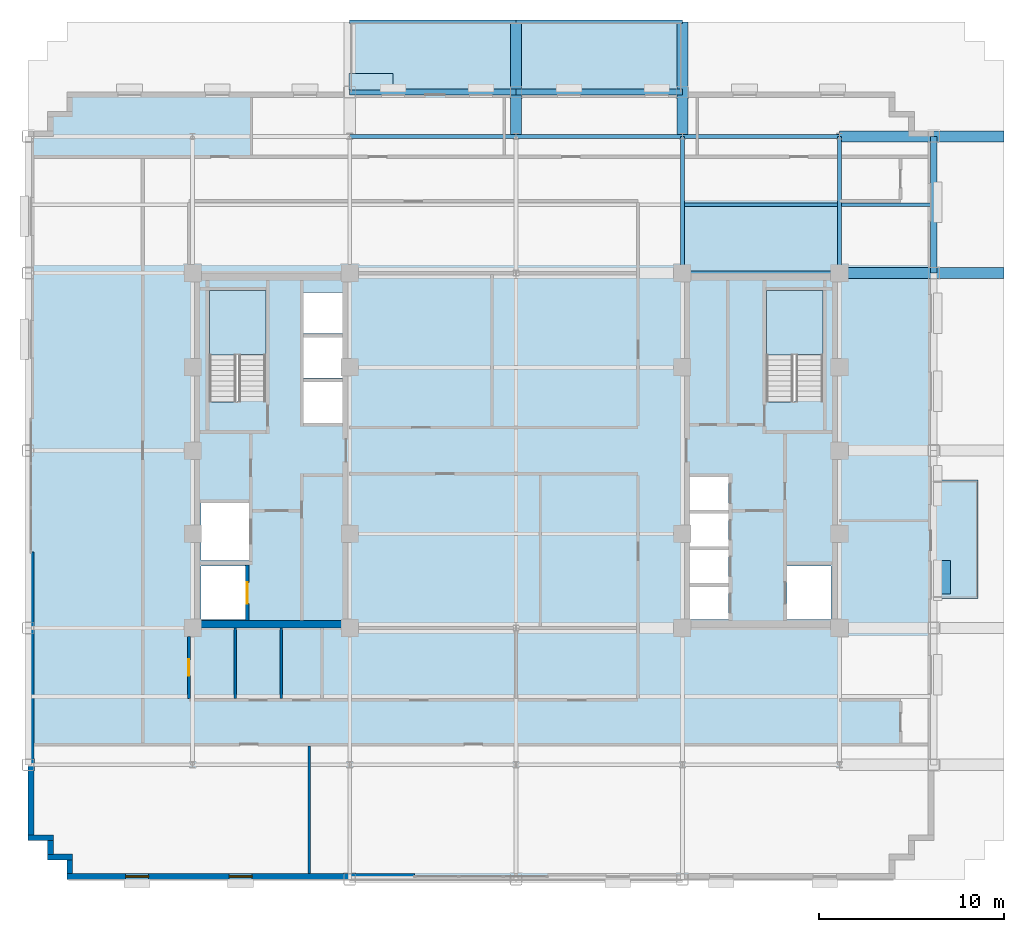
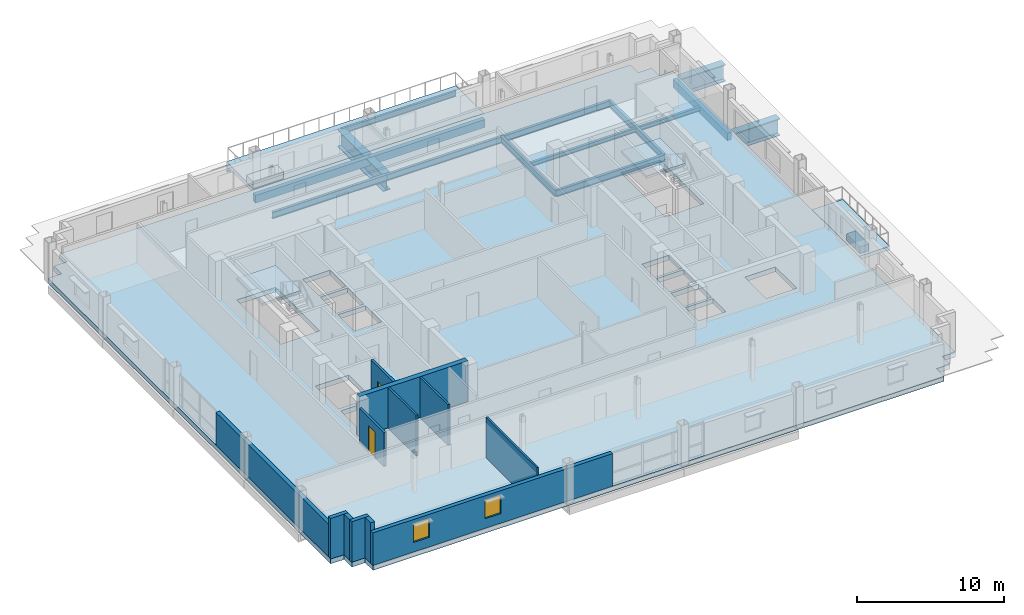
# One storey, part 6 of 17: 17 beams, 12 walls, 5 slabs, 2 doors, 2 plates, 2 windows, 4 openings, 2 elements without a shape of their own.
"""IFC4 building model written with IfcOpenShell, lengths in metres."""

from ifc_helpers import new_model, si_unit, direction, frame, frame_2d, origin, origin_2d, place, context, subcontext, project, spatial, polyline, rectangle, i_section, outline, extrude, source, transform, mapped, material, layer, layer_set, material_profile, profile_set, type_object, type_shapes, element, fill, aggregate, save


model = new_model("IFC4")

# Units and contexts
model_context = context("Model", 3, precision=1e-05, world=origin(), true_north=direction((0.0, 1.0)))
body_context = subcontext(model_context, "Body", "Model", "MODEL_VIEW")
ifc_project = project(units=[si_unit("LENGTHUNIT", "METRE"), si_unit("AREAUNIT", "SQUARE_METRE"), si_unit("VOLUMEUNIT", "CUBIC_METRE"), si_unit("PLANEANGLEUNIT", "RADIAN"), si_unit("MASSUNIT", "GRAM", prefix="KILO")], contexts=[model_context])

# Site, building, storey
site_placement = place(None, origin())
site = spatial("IfcSite", under=ifc_project, at=site_placement, CompositionType="ELEMENT")
building_placement = place(site_placement, origin())
building = spatial("IfcBuilding", under=site, at=building_placement, Name="Nuvemarco Arch Tower", CompositionType="ELEMENT")
storey_placement = place(building_placement, frame((0.0, 0.0, 167.64990234375)))
storey = spatial("IfcBuildingStorey", under=building, at=storey_placement, Name="L44", CompositionType="ELEMENT", Elevation=167.64990234375)

# Beams
ifc_material_1 = material(Name="Steel S355", Category="steel")
ifc_material_profile_1 = material_profile(ifc_material_1, i_section(OverallWidth=0.2109375, OverallDepth=0.5390625, WebThickness=0.01171875, FlangeThickness=0.018798828125, FilletRadius=0.01611328125, at=origin_2d()), Name="W530x109")
ifc_profile_set_1 = profile_set([ifc_material_profile_1], Name="Steel S355")
beam_type_1 = type_object("IfcBeamType", Name="BM-GIRD-530", PredefinedType="BEAM", material=ifc_profile_set_1)
for number, where, z_axis, x_axis, name in (
    (1, (9.0, 9.60009765625, -0.66943359375), (0.0, 1.0, 0.0), (-1.0, 0.0, 0.0), "L44 structural beam BGNS_L44_0_+9.0_+9.6"),
    (2, (17.5, 9.60009765625, -0.66943359375), (0.0, 1.0, 0.0), (-1.0, 0.0, 0.0), "L44 structural beam BGNS_L44_0_+17.5_+9.6"),
):
    element("IfcBeam", number, at=place(storey_placement, frame(where, z_axis=z_axis, x_axis=x_axis)), inside=storey, type_object=beam_type_1, Name=name, PredefinedType="BEAM", context=body_context, shape_type="SweptSolid", body=[
        extrude(i_section(OverallWidth=0.2109375, OverallDepth=0.5390625, WebThickness=0.01171875, FlangeThickness=0.018798828125, FilletRadius=0.01611328125, at=origin_2d()), origin(), (0.0, 0.0, 1.0), 7.39990234375),
    ])
beam_1_placement = place(storey_placement, frame((9.0, 9.60009765625, -0.66943359375), z_axis=(1.0, 0.0, 0.0), x_axis=(0.0, 1.0, 0.0)))
element("IfcBeam", 3, at=beam_1_placement, inside=storey, type_object=beam_type_1, Name="L44 structural beam BGEW_L44_0_+9.6_+9.0", PredefinedType="BEAM", context=body_context, shape_type="SweptSolid", body=[
    extrude(i_section(OverallWidth=0.2109375, OverallDepth=0.5390625, WebThickness=0.01171875, FlangeThickness=0.018798828125, FilletRadius=0.01611328125, at=origin_2d()), origin(), (0.0, 0.0, 1.0), 8.5),
])
for number, where, z_axis, x_axis, name in (
    (4, (-9.0, 17.0, -0.66943359375), (1.0, 0.0, 0.0), (0.0, 1.0, 0.0), "L44 structural beam BGEW_L44_0_+17.0_-9.0"),
    (5, (0.0, 17.0, -0.66943359375), (1.0, 0.0, 0.0), (0.0, 1.0, 0.0), "L44 structural beam BGEW_L44_0_+17.0_+0.0"),
):
    element("IfcBeam", number, at=place(storey_placement, frame(where, z_axis=z_axis, x_axis=x_axis)), inside=storey, type_object=beam_type_1, Name=name, PredefinedType="BEAM", context=body_context, shape_type="SweptSolid", body=[
        extrude(i_section(OverallWidth=0.2109375, OverallDepth=0.5390625, WebThickness=0.01171875, FlangeThickness=0.018798828125, FilletRadius=0.01611328125, at=origin_2d()), origin(), (0.0, 0.0, 1.0), 9.0),
    ])
beam_2_placement = place(storey_placement, frame((9.0, 17.0, -0.66943359375), z_axis=(1.0, 0.0, 0.0), x_axis=(0.0, 1.0, 0.0)))
element("IfcBeam", 6, at=beam_2_placement, inside=storey, type_object=beam_type_1, Name="L44 structural beam BGEW_L44_0_+17.0_+9.0", PredefinedType="BEAM", context=body_context, shape_type="SweptSolid", body=[
    extrude(i_section(OverallWidth=0.2109375, OverallDepth=0.5390625, WebThickness=0.01171875, FlangeThickness=0.018798828125, FilletRadius=0.01611328125, at=origin_2d()), origin(), (0.0, 0.0, 1.0), 8.5),
])
ifc_material_profile_2 = material_profile(ifc_material_1, i_section(OverallWidth=0.202880859375, OverallDepth=0.346923828125, WebThickness=0.0078125, FlangeThickness=0.013427734375, FilletRadius=0.014892578125, at=origin_2d()), Name="W360x64")
ifc_profile_set_2 = profile_set([ifc_material_profile_2], Name="Steel S355")
beam_type_2 = type_object("IfcBeamType", Name="BM-JOIST-360", PredefinedType="JOIST", material=ifc_profile_set_2)
beam_3_placement = place(storey_placement, frame((9.10546875, 13.300048828125, -0.573486328125), z_axis=(1.0, 0.0, 0.0), x_axis=(0.0, 1.0, 0.0)))
element("IfcBeam", 7, at=beam_3_placement, inside=storey, type_object=beam_type_2, Name="L44 structural beam BJ_L44_0_+13.3_+9.0", PredefinedType="JOIST", context=body_context, shape_type="SweptSolid", body=[
    extrude(i_section(OverallWidth=0.202880859375, OverallDepth=0.346923828125, WebThickness=0.0078125, FlangeThickness=0.013427734375, FilletRadius=0.014892578125, at=origin_2d()), origin(), (0.0, 0.0, 1.0), 8.2890625),
])
beam_4_placement = place(storey_placement, frame((17.60546875, 13.300048828125, -0.573486328125), z_axis=(1.0, 0.0, 0.0), x_axis=(0.0, 1.0, 0.0)))
element("IfcBeam", 8, at=beam_4_placement, inside=storey, type_object=beam_type_2, Name="L44 structural beam BJ_L44_0_+13.3_+17.5", PredefinedType="JOIST", context=body_context, shape_type="SweptSolid", body=[
    extrude(i_section(OverallWidth=0.202880859375, OverallDepth=0.346923828125, WebThickness=0.0078125, FlangeThickness=0.013427734375, FilletRadius=0.014892578125, at=origin_2d()), origin(), (0.0, 0.0, 1.0), 4.819580078125),
])
ifc_material_profile_3 = material_profile(ifc_material_1, i_section(OverallWidth=0.19189453125, OverallDepth=0.462890625, WebThickness=0.010498046875, FlangeThickness=0.017578125, FilletRadius=0.014892578125, at=origin_2d()), Name="W460x89")
ifc_profile_set_3 = profile_set([ifc_material_profile_3], Name="Steel S355")
beam_type_3 = type_object("IfcBeamType", Name="BM-SET-TERR", PredefinedType="BEAM", material=ifc_profile_set_3)
for number, where, z_axis, x_axis, name in (
    (9, (-9.0, 23.199951171875, -0.611328125), (1.0, 0.0, 0.0), (0.0, 1.0, 0.0), "L44 structural beam BSETE_L44_0_0"),
    (10, (0.0, 23.199951171875, -0.611328125), (1.0, 0.0, 0.0), (0.0, 1.0, 0.0), "L44 structural beam BSETE_L44_0_1"),
):
    element("IfcBeam", number, at=place(storey_placement, frame(where, z_axis=z_axis, x_axis=x_axis)), inside=storey, type_object=beam_type_3, Name=name, PredefinedType="BEAM", context=body_context, shape_type="SweptSolid", body=[
        extrude(i_section(OverallWidth=0.19189453125, OverallDepth=0.462890625, WebThickness=0.010498046875, FlangeThickness=0.017578125, FilletRadius=0.014892578125, at=origin_2d()), origin(), (0.0, 0.0, 1.0), 9.0),
    ])
ifc_material_2 = material(Name="Precast concrete C45/55", Category="concrete")
ifc_material_profile_4 = material_profile(ifc_material_2, rectangle(XDim=0.35009765625, YDim=0.64990234375, at=origin_2d()), Name="PC-SP-350x650")
ifc_profile_set_4 = profile_set([ifc_material_profile_4], Name="Precast concrete C45/55")
beam_type_4 = type_object("IfcBeamType", Name="BM-SPAN-RC", PredefinedType="SPANDREL", material=ifc_profile_set_4)
beam_5_placement = place(storey_placement, frame((22.60009765625, 9.60009765625, -0.724853515625), z_axis=(0.0, 1.0, 0.0), x_axis=(-1.0, 0.0, 0.0)))
element("IfcBeam", 11, at=beam_5_placement, inside=storey, type_object=beam_type_4, Name="L44 structural beam BGNS_L44_0_+22.6_+9.6", PredefinedType="SPANDREL", context=body_context, shape_type="SweptSolid", body=[
    extrude(rectangle(XDim=0.35009765625, YDim=0.64990234375, at=origin_2d()), origin(), (0.0, 0.0, 1.0), 7.39990234375),
])
for number, where, z_axis, x_axis, name in (
    (12, (-9.0, 19.39990234375, -0.724853515625), (1.0, 0.0, 0.0), (0.0, 1.0, 0.0), "L44 structural beam BGEW_L44_0_+19.4_-9.0"),
    (13, (0.0, 19.39990234375, -0.724853515625), (1.0, 0.0, 0.0), (0.0, 1.0, 0.0), "L44 structural beam BGEW_L44_0_+19.4_+0.0"),
):
    element("IfcBeam", number, at=place(storey_placement, frame(where, z_axis=z_axis, x_axis=x_axis)), inside=storey, type_object=beam_type_4, Name=name, PredefinedType="SPANDREL", context=body_context, shape_type="SweptSolid", body=[
        extrude(rectangle(XDim=0.35009765625, YDim=0.64990234375, at=origin_2d()), origin(), (0.0, 0.0, 1.0), 9.0),
    ])
ifc_material_3 = material(Name="Steel S460", Category="steel")
ifc_material_profile_5 = material_profile(ifc_material_3, i_section(OverallWidth=0.60009765625, OverallDepth=1.39990234375, WebThickness=0.031982421875, FlangeThickness=0.054931640625, FilletRadius=0.02001953125, at=origin_2d()), Name="PG1400x600")
ifc_profile_set_5 = profile_set([ifc_material_profile_5], Name="Steel S460")
beam_type_5 = type_object("IfcBeamType", Name="BM-TG-SETBACK", PredefinedType="BEAM", material=ifc_profile_set_5)
for number, where, z_axis, x_axis, name in (
    (14, (17.5, 9.60009765625, -1.099853515625), (1.0, 0.0, 0.0), (0.0, 1.0, 0.0), "L44 structural beam TGS_L44_E_+9.6"),
    (15, (17.5, 17.0, -1.099853515625), (1.0, 0.0, 0.0), (0.0, 1.0, 0.0), "L44 structural beam TGS_L44_E_+17.0"),
):
    element("IfcBeam", number, at=place(storey_placement, frame(where, z_axis=z_axis, x_axis=x_axis)), inside=storey, type_object=beam_type_5, Name=name, PredefinedType="BEAM", context=body_context, shape_type="SweptSolid", body=[
        extrude(i_section(OverallWidth=0.60009765625, OverallDepth=1.39990234375, WebThickness=0.031982421875, FlangeThickness=0.054931640625, FilletRadius=0.02001953125, at=origin_2d()), origin(), (0.0, 0.0, 1.0), 8.89990234375),
    ])
for number, where, z_axis, x_axis, name in (
    (16, (0.0, 17.0, -1.099853515625), (0.0, 1.0, 0.0), (-1.0, 0.0, 0.0), "L44 structural beam TGS_L44_N_+0.0"),
    (17, (9.0, 17.0, -1.099853515625), (0.0, 1.0, 0.0), (-1.0, 0.0, 0.0), "L44 structural beam TGS_L44_N_+9.0"),
):
    element("IfcBeam", number, at=place(storey_placement, frame(where, z_axis=z_axis, x_axis=x_axis)), inside=storey, type_object=beam_type_5, Name=name, PredefinedType="BEAM", context=body_context, shape_type="SweptSolid", body=[
        extrude(i_section(OverallWidth=0.60009765625, OverallDepth=1.39990234375, WebThickness=0.031982421875, FlangeThickness=0.054931640625, FilletRadius=0.02001953125, at=origin_2d()), origin(), (0.0, 0.0, 1.0), 6.199951171875),
    ])

# Slab
ifc_material_4 = material(Name="Concrete C60/75", Category="concrete")
ifc_layer_1 = layer(ifc_material_4, 0.39990234375, Name="SL-FLR-400")
ifc_layer_set_1 = layer_set([ifc_layer_1], Name="Concrete C60/75")
slab_type_1 = type_object("IfcSlabType", Name="SL-FLR-400", PredefinedType="FLOOR", material=ifc_layer_set_1)
slab_1_placement = place(storey_placement, frame((0.0, 0.0, -0.39990234375)))
element("IfcSlab", 18, at=slab_1_placement, inside=storey, type_object=slab_type_1, Name="L44 structural floor slab", PredefinedType="FLOOR", context=body_context, shape_type="SweptSolid", body=[
    extrude(outline(polyline([(-24.300048828125, -23.199951171875), (20.5, -23.199951171875), (20.5, -22.14990234375), (21.550048828125, -22.14990234375), (21.550048828125, -21.10009765625), (22.60009765625, -21.10009765625), (22.60009765625, 17.300048828125), (21.550048828125, 17.300048828125), (21.550048828125, 18.35009765625), (20.5, 18.35009765625), (20.5, 19.39990234375), (-24.300048828125, 19.39990234375), (-24.300048828125, 18.35009765625), (-25.35009765625, 18.35009765625), (-25.35009765625, 17.300048828125), (-26.39990234375, 17.300048828125), (-26.39990234375, -21.10009765625), (-25.35009765625, -21.10009765625), (-25.35009765625, -22.14990234375), (-24.300048828125, -22.14990234375), (-24.300048828125, -23.199951171875)]), holes=[polyline([(-13.5400390625, 2.669921875), (-13.5400390625, 8.64990234375), (-16.60009765625, 8.64990234375), (-16.60009765625, 2.630615234375), (-15.070068359375, 2.630615234375), (-15.070068359375, 2.669921875), (-13.5400390625, 2.669921875)]), polyline([(16.60009765625, 2.669921875), (16.60009765625, 8.64990234375), (13.5400390625, 8.64990234375), (13.5400390625, 2.630615234375), (15.070068359375, 2.630615234375), (15.070068359375, 2.669921875), (16.60009765625, 2.669921875)]), polyline([(-17.050048828125, -9.14990234375), (-14.64990234375, -9.14990234375), (-14.64990234375, -6.25), (-17.050048828125, -6.25), (-17.050048828125, -9.14990234375)]), polyline([(-17.050048828125, -5.949951171875), (-14.449951171875, -5.949951171875), (-14.449951171875, -2.85009765625), (-17.050048828125, -2.85009765625), (-17.050048828125, -5.949951171875)]), polyline([(-11.5, 1.5), (-9.35009765625, 1.5), (-9.35009765625, 3.699951171875), (-11.5, 3.699951171875), (-11.5, 1.5)]), polyline([(-11.5, 3.919921875), (-9.35009765625, 3.919921875), (-9.35009765625, 6.1201171875), (-11.5, 6.1201171875), (-11.5, 3.919921875)]), polyline([(-11.5, 6.340087890625), (-9.35009765625, 6.340087890625), (-9.35009765625, 8.5400390625), (-11.5, 8.5400390625), (-11.5, 6.340087890625)]), polyline([(14.64990234375, -9.14990234375), (17.050048828125, -9.14990234375), (17.050048828125, -6.25), (14.64990234375, -6.25), (14.64990234375, -9.14990234375)]), polyline([(9.35009765625, -9.14990234375), (11.5, -9.14990234375), (11.5, -7.3701171875), (9.35009765625, -7.3701171875), (9.35009765625, -9.14990234375)]), polyline([(9.35009765625, -7.169921875), (11.5, -7.169921875), (11.5, -5.389892578125), (9.35009765625, -5.389892578125), (9.35009765625, -7.169921875)]), polyline([(9.35009765625, -5.18994140625), (11.5, -5.18994140625), (11.5, -3.409912109375), (9.35009765625, -3.409912109375), (9.35009765625, -5.18994140625)]), polyline([(9.35009765625, -3.2099609375), (11.5, -3.2099609375), (11.5, -1.429931640625), (9.35009765625, -1.429931640625), (9.35009765625, -3.2099609375)])]), origin(), (0.0, 0.0, 1.0), 0.39990234375),
])

# Stair, slab
stair_type = type_object("IfcStairType", Name="ST-CORE-20R", PredefinedType="HALF_TURN_STAIR", material=ifc_material_2)
stair_1_placement = place(storey_placement, origin())
stair_1 = element("IfcStair", 19, at=stair_1_placement, inside=storey, type_object=stair_type, Name="L44 Protected Exit Stair ST-1", PredefinedType="HALF_TURN_STAIR")
ifc_layer_2 = layer(ifc_material_2, 0.199951171875, Name="SL-LANDING-200")
ifc_layer_set_2 = layer_set([ifc_layer_2], Name="Precast concrete C45/55")
slab_type_2 = type_object("IfcSlabType", Name="SL-LANDING-200", PredefinedType="LANDING", material=ifc_layer_set_2)
slab_2_placement = place(storey_placement, frame((0.0, 0.0, 1.625)))
slab_2 = element("IfcSlab", 20, at=slab_2_placement, type_object=slab_type_2, Name="ST-20R landing 1", PredefinedType="LANDING", context=body_context, shape_type="SweptSolid", body=[
    extrude(outline(polyline([(-13.5400390625, 5.189453125), (-13.5400390625, 8.64990234375), (-16.60009765625, 8.64990234375), (-16.60009765625, 5.169921875), (-15.070068359375, 5.169921875), (-15.070068359375, 5.189453125), (-13.5400390625, 5.189453125)])), origin(), (0.0, 0.0, 1.0), 0.2001953125),
])
aggregate(stair_1, [slab_2])

stair_2_placement = place(storey_placement, origin())
stair_2 = element("IfcStair", 21, at=stair_2_placement, inside=storey, type_object=stair_type, Name="L44 Protected Exit Stair ST-2", PredefinedType="HALF_TURN_STAIR")
slab_3_placement = place(storey_placement, frame((0.0, 0.0, 1.625)))
slab_3 = element("IfcSlab", 22, at=slab_3_placement, type_object=slab_type_2, Name="ST-20R landing 1", PredefinedType="LANDING", context=body_context, shape_type="SweptSolid", body=[
    extrude(outline(polyline([(16.60009765625, 5.189453125), (16.60009765625, 8.64990234375), (13.5400390625, 8.64990234375), (13.5400390625, 5.169921875), (15.070068359375, 5.169921875), (15.070068359375, 5.189453125), (16.60009765625, 5.189453125)])), origin(), (0.0, 0.0, 1.0), 0.2001953125),
])
aggregate(stair_2, [slab_3])

# Slabs
ifc_material_5 = material(Name="Concrete C50/60", Category="concrete")
ifc_layer_3 = layer(ifc_material_5, 0.3798828125, Name="SL-TR2")
ifc_layer_set_3 = layer_set([ifc_layer_3], Name="Concrete C50/60")
slab_type_3 = type_object("IfcSlabType", Name="SL-TR2", PredefinedType="FLOOR", material=ifc_layer_set_3)
slab_4_placement = place(storey_placement, frame((0.0, 0.0, -0.3798828125)))
element("IfcSlab", 23, at=slab_4_placement, inside=storey, type_object=slab_type_3, Name="L44 outdoor setback terrace slab 1", PredefinedType="FLOOR", context=body_context, shape_type="SweptSolid", body=[
    extrude(outline(polyline([(-9.0, 19.39990234375), (9.0, 19.39990234375), (9.0, 23.199951171875), (-9.0, 23.199951171875), (-9.0, 19.39990234375)])), origin(), (0.0, 0.0, 1.0), 0.3798828125),
])
ifc_layer_4 = layer(ifc_material_5, 0.294921875, Name="SL-TR4")
ifc_layer_set_4 = layer_set([ifc_layer_4], Name="Concrete C50/60")
slab_type_4 = type_object("IfcSlabType", Name="SL-TR4", PredefinedType="FLOOR", material=ifc_layer_set_4)
slab_5_placement = place(storey_placement, frame((0.0, 0.0, -0.294921875)))
element("IfcSlab", 24, at=slab_5_placement, inside=storey, type_object=slab_type_4, Name="L44 outdoor spiral terrace slab 2", PredefinedType="FLOOR", context=body_context, shape_type="SweptSolid", body=[
    extrude(outline(polyline([(22.60009765625, -8.0), (25.0, -8.0), (25.0, -1.60009765625), (22.60009765625, -1.60009765625), (22.60009765625, -8.0)])), origin(), (0.0, 0.0, 1.0), 0.294921875),
])

# Plates
ifc_layer_5 = layer(ifc_material_2, 0.60009765625, Name="Setback Terrace Structural Planter")
ifc_layer_set_5 = layer_set([ifc_layer_5], Name="Precast concrete C45/55")
plate_type_1 = type_object("IfcPlateType", Name="Setback Terrace Structural Planter", PredefinedType="USERDEFINED", material=ifc_layer_set_5)
shared_shape_1 = source(origin(), body_context, "Body", "SweptSolid", [
    extrude(rectangle(XDim=2.39990234375, YDim=0.89990234375, at=origin_2d()), origin(), (0.0, 0.0, 1.0), 0.60009765625),
])
type_shapes(plate_type_1, [shared_shape_1])
plate_1_placement = place(storey_placement, frame((-7.85009765625, 19.949951171875, 0.0), z_axis=(0.0, 0.0, 1.0), x_axis=(1.0, 0.0, 0.0)))
element("IfcPlate", 25, at=plate_1_placement, inside=storey, type_object=plate_type_1, Name="L44 Setback Terrace Structural Planter", ObjectType="PLANTER", PredefinedType="USERDEFINED", context=body_context, shape_type="MappedRepresentation", body=[
    mapped(shared_shape_1, transform((0.0, 0.0, 0.0), scale=1.0)),
])
ifc_layer_6 = layer(ifc_material_2, 0.550048828125, Name="Tree Balcony Structural Planter")
ifc_layer_set_6 = layer_set([ifc_layer_6], Name="Precast concrete C45/55")
plate_type_2 = type_object("IfcPlateType", Name="Tree Balcony Structural Planter", PredefinedType="USERDEFINED", material=ifc_layer_set_6)
shared_shape_2 = source(origin(), body_context, "Body", "SweptSolid", [
    extrude(rectangle(XDim=1.800048828125, YDim=0.699951171875, at=origin_2d()), origin(), (0.0, 0.0, 1.0), 0.550048828125),
])
type_shapes(plate_type_2, [shared_shape_2])
plate_2_placement = place(storey_placement, frame((23.14990234375, -6.85009765625, 0.0), z_axis=(0.0, 0.0, 1.0), x_axis=(0.0, 1.0, 0.0)))
element("IfcPlate", 26, at=plate_2_placement, inside=storey, type_object=plate_type_2, Name="L44 Tree Balcony Structural Planter", ObjectType="PLANTER", PredefinedType="USERDEFINED", context=body_context, shape_type="MappedRepresentation", body=[
    mapped(shared_shape_2, transform((0.0, 0.0, 0.0), scale=1.0)),
])

# Wall, openings, windows
ifc_layer_7 = layer(ifc_material_2, 0.31005859375, Name="EW-UPP-310")
ifc_layer_set_7 = layer_set([ifc_layer_7], Name="Precast concrete C45/55")
wall_type_1 = type_object("IfcWallType", Name="EW-UPP-310", PredefinedType="STANDARD", material=ifc_layer_set_7)
wall_1_placement = place(storey_placement, frame((-24.300048828125, -23.044921875, 0.0), z_axis=(0.0, 0.0, 1.0), x_axis=(1.0, 0.0, 0.0)))
wall_1 = element("IfcWall", 27, at=wall_1_placement, inside=storey, type_object=wall_type_1, Name="L44 exterior precast pier wall south left", PredefinedType="STANDARD", context=body_context, shape_type="SweptSolid", body=[
    extrude(rectangle(XDim=18.800048828125, YDim=0.31005859375, at=frame_2d((9.39990234375, 0.0))), origin(), (0.0, 0.0, 1.0), 2.705078125),
])
opening_1_placement = place(wall_1_placement, frame((3.175048828125, 0.0, 0.800048828125)))
opening_1 = element("IfcOpeningElement", 28, at=opening_1_placement, cuts=wall_1, Name="Opening WN-13", PredefinedType="OPENING", context=body_context, shape_type="SweptSolid", body=[
    extrude(rectangle(XDim=1.25, YDim=1.52001953125, at=frame_2d((0.625, 0.760009765625))), frame((0.0, 0.1650390625, 0.0), z_axis=(0.0, -1.0, 0.0), x_axis=(1.0, 0.0, 0.0)), (0.0, 0.0, 1.0), 0.330078125),
])
opening_2_placement = place(wall_1_placement, frame((8.77490234375, 0.0, 0.800048828125)))
opening_2 = element("IfcOpeningElement", 29, at=opening_2_placement, cuts=wall_1, Name="Opening WN-13", PredefinedType="OPENING", context=body_context, shape_type="SweptSolid", body=[
    extrude(rectangle(XDim=1.25, YDim=1.52001953125, at=frame_2d((0.625, 0.760009765625))), frame((0.0, 0.1650390625, 0.0), z_axis=(0.0, -1.0, 0.0), x_axis=(1.0, 0.0, 0.0)), (0.0, 0.0, 1.0), 0.330078125),
])
ifc_material_6 = material(Name="Insulated solar-control glass", Category="glass")
window_type = type_object("IfcWindowType", Name="WN-SET-1250x1520", PartitioningType="SINGLE_PANEL", PredefinedType="WINDOW", material=ifc_material_6)
shared_shape_3 = source(origin(), body_context, "Body", "SweptSolid", [
    extrude(rectangle(XDim=1.25, YDim=1.52001953125, at=frame_2d((0.625, 0.760009765625))), frame((0.0, 0.030029296875, 0.0), z_axis=(0.0, -1.0, 0.0), x_axis=(1.0, 0.0, 0.0)), (0.0, 0.0, 1.0), 0.06005859375),
])
type_shapes(window_type, [shared_shape_3])
window_1_placement = place(opening_1_placement, origin())
window_1 = element("IfcWindow", 30, at=window_1_placement, inside=storey, type_object=window_type, Name="L44 punched facade window 1", OverallHeight=1.52001953125, OverallWidth=1.25, PartitioningType="SINGLE_PANEL", PredefinedType="WINDOW", context=body_context, shape_type="MappedRepresentation", body=[
    mapped(shared_shape_3, transform((0.0, 0.0, 0.0), scale=1.0)),
])
fill(opening_1, window_1)
window_2_placement = place(opening_2_placement, origin())
window_2 = element("IfcWindow", 31, at=window_2_placement, inside=storey, type_object=window_type, Name="L44 punched facade window 2", OverallHeight=1.52001953125, OverallWidth=1.25, PartitioningType="SINGLE_PANEL", PredefinedType="WINDOW", context=body_context, shape_type="MappedRepresentation", body=[
    mapped(shared_shape_3, transform((0.0, 0.0, 0.0), scale=1.0)),
])
fill(opening_2, window_2)

# Walls
wall_2_placement = place(storey_placement, frame((-26.2451171875, -20.7939453125, 0.0), z_axis=(0.0, 0.0, 1.0), x_axis=(0.0, 1.0, 0.0)))
element("IfcWall", 32, at=wall_2_placement, inside=storey, type_object=wall_type_1, Name="L44 exterior precast pier wall west left", PredefinedType="STANDARD", context=body_context, shape_type="SweptSolid", body=[
    extrude(rectangle(XDim=15.2939453125, YDim=0.31005859375, at=frame_2d((7.64697265625, 0.0))), origin(), (0.0, 0.0, 1.0), 2.705078125),
])
wall_3_placement = place(storey_placement, frame((-26.39990234375, -20.945068359375, 0.0), z_axis=(0.0, 0.0, 1.0), x_axis=(1.0, 0.0, 0.0)))
element("IfcWall", 33, at=wall_3_placement, inside=storey, type_object=wall_type_1, Name="L44 exterior precast facade wall 17", PredefinedType="STANDARD", context=body_context, shape_type="SweptSolid", body=[
    extrude(rectangle(XDim=1.35986328125, YDim=0.31005859375, at=frame_2d((0.679931640625, 0.0))), origin(), (0.0, 0.0, 1.0), 3.360107421875),
])
wall_4_placement = place(storey_placement, frame((-25.195068359375, -21.843994140625, 0.0), z_axis=(0.0, 0.0, 1.0), x_axis=(0.0, 1.0, 0.0)))
element("IfcWall", 34, at=wall_4_placement, inside=storey, type_object=wall_type_1, Name="L44 exterior precast facade wall 18", PredefinedType="STANDARD", context=body_context, shape_type="SweptSolid", body=[
    extrude(rectangle(XDim=0.748046875, YDim=0.31005859375, at=frame_2d((0.3740234375, 0.0))), origin(), (0.0, 0.0, 1.0), 3.360107421875),
])
wall_5_placement = place(storey_placement, frame((-25.35009765625, -21.9951171875, 0.0), z_axis=(0.0, 0.0, 1.0), x_axis=(1.0, 0.0, 0.0)))
element("IfcWall", 35, at=wall_5_placement, inside=storey, type_object=wall_type_1, Name="L44 exterior precast facade wall 19", PredefinedType="STANDARD", context=body_context, shape_type="SweptSolid", body=[
    extrude(rectangle(XDim=1.360107421875, YDim=0.31005859375, at=frame_2d((0.68017578125, 0.0))), origin(), (0.0, 0.0, 1.0), 3.360107421875),
])
wall_6_placement = place(storey_placement, frame((-24.14501953125, -22.89404296875, 0.0), z_axis=(0.0, 0.0, 1.0), x_axis=(0.0, 1.0, 0.0)))
element("IfcWall", 36, at=wall_6_placement, inside=storey, type_object=wall_type_1, Name="L44 exterior precast facade wall 20", PredefinedType="STANDARD", context=body_context, shape_type="SweptSolid", body=[
    extrude(rectangle(XDim=0.748046875, YDim=0.31005859375, at=frame_2d((0.3740234375, 0.0))), origin(), (0.0, 0.0, 1.0), 3.360107421875),
])
ifc_layer_8 = layer(ifc_material_4, 0.39990234375, Name="WL-CORE-400")
ifc_layer_set_8 = layer_set([ifc_layer_8], Name="Concrete C60/75")
wall_type_2 = type_object("IfcWallType", Name="WL-CORE-400", PredefinedType="SHEAR", material=ifc_layer_set_8)
wall_7_placement = place(storey_placement, frame((-17.5, -9.39990234375, 0.0), z_axis=(0.0, 0.0, 1.0), x_axis=(1.0, 0.0, 0.0)))
element("IfcWall", 37, at=wall_7_placement, inside=storey, type_object=wall_type_2, Name="L44 W-core shear wall S", PredefinedType="SHEAR", context=body_context, shape_type="SweptSolid", body=[
    extrude(rectangle(XDim=8.5, YDim=0.39990234375, at=frame_2d((4.25, 0.0))), origin(), (0.0, 0.0, 1.0), 3.3701171875),
])

# Wall, opening, door
ifc_material_7 = material(Name="Fire-rated gypsum drywall partition")
ifc_layer_9 = layer(ifc_material_7, 0.179931640625, Name="WL-CORR-180")
ifc_layer_set_9 = layer_set([ifc_layer_9], Name="Fire-rated gypsum drywall partition")
wall_type_3 = type_object("IfcWallType", Name="WL-CORR-180", PredefinedType="PARTITIONING", material=ifc_layer_set_9)
wall_8_placement = place(storey_placement, frame((-17.699951171875, -13.4140625, 0.0), z_axis=(0.0, 0.0, 1.0), x_axis=(0.0, 1.0, 0.0)))
wall_8 = element("IfcWall", 38, at=wall_8_placement, inside=storey, type_object=wall_type_3, Name="L44 interior wall IW-L44-015", PredefinedType="PARTITIONING", context=body_context, shape_type="SweptSolid", body=[
    extrude(rectangle(XDim=3.343017578125, YDim=0.179931640625, at=frame_2d((1.67138671875, 0.0))), origin(), (0.0, 0.0, 1.0), 2.816162109375),
])
opening_3_placement = place(wall_8_placement, frame((1.221435546875, 0.0, 0.0)))
opening_3 = element("IfcOpeningElement", 39, at=opening_3_placement, cuts=wall_8, Name="Opening ID-3", PredefinedType="OPENING", context=body_context, shape_type="SweptSolid", body=[
    extrude(rectangle(XDim=0.89990234375, YDim=2.10009765625, at=frame_2d((0.449951171875, 1.050048828125))), frame((0.0, 0.099853515625, 0.0), z_axis=(0.0, -1.0, 0.0), x_axis=(1.0, 0.0, 0.0)), (0.0, 0.0, 1.0), 0.199951171875),
])
ifc_material_8 = material(Name="Veneered oak timber fire door", Category="wood")
door_type_1 = type_object("IfcDoorType", Name="DR-WC-ACC", OperationType="NOTDEFINED", PredefinedType="DOOR", material=ifc_material_8)
shared_shape_4 = source(origin(), body_context, "Body", "SweptSolid", [
    extrude(rectangle(XDim=0.89990234375, YDim=2.10009765625, at=frame_2d((0.449951171875, 1.050048828125))), frame((0.0, 0.02490234375, 0.0), z_axis=(0.0, -1.0, 0.0), x_axis=(1.0, 0.0, 0.0)), (0.0, 0.0, 1.0), 0.050048828125),
])
type_shapes(door_type_1, [shared_shape_4])
door_1_placement = place(opening_3_placement, origin())
door_1 = element("IfcDoor", 40, at=door_1_placement, inside=storey, type_object=door_type_1, Name="L44 door DR-L44-WC_M", OperationType="SINGLE_SWING_RIGHT", OverallHeight=2.10009765625, OverallWidth=0.89990234375, PredefinedType="DOOR", context=body_context, shape_type="MappedRepresentation", body=[
    mapped(shared_shape_4, transform((0.0, 0.0, 0.0), scale=1.0)),
])
fill(opening_3, door_1)

# Wall
ifc_material_9 = material(Name="Gypsum plasterboard partition")
ifc_layer_10 = layer(ifc_material_9, 0.139892578125, Name="WL-ROOM-140")
ifc_layer_set_10 = layer_set([ifc_layer_10], Name="Gypsum plasterboard partition")
wall_type_4 = type_object("IfcWallType", Name="WL-ROOM-140", PredefinedType="PARTITIONING", material=ifc_layer_set_10)
wall_9_placement = place(storey_placement, frame((-11.199951171875, -22.889892578125, 0.0), z_axis=(0.0, 0.0, 1.0), x_axis=(0.0, 1.0, 0.0)))
element("IfcWall", 41, at=wall_9_placement, inside=storey, type_object=wall_type_4, Name="L44 interior wall IW-L44-020", PredefinedType="PARTITIONING", context=body_context, shape_type="SweptSolid", body=[
    extrude(rectangle(XDim=6.90380859375, YDim=0.139892578125, at=frame_2d((3.451904296875, 0.0))), origin(), (0.0, 0.0, 1.0), 3.360107421875),
])

# Wall, opening, door
ifc_layer_11 = layer(ifc_material_5, 0.199951171875, Name="WL-SHAFT-220")
ifc_layer_set_11 = layer_set([ifc_layer_11], Name="Concrete C50/60")
wall_type_5 = type_object("IfcWallType", Name="WL-SHAFT-220", PredefinedType="SHEAR", material=ifc_layer_set_11)
wall_10_placement = place(storey_placement, frame((-14.550048828125, -9.205078125, 0.0), z_axis=(0.0, 0.0, 1.0), x_axis=(0.0, 1.0, 0.0)))
wall_10 = element("IfcWall", 42, at=wall_10_placement, inside=storey, type_object=wall_type_5, Name="L44 structural shaft wall SW-L44-W-SHE", PredefinedType="SHEAR", context=body_context, shape_type="SweptSolid", body=[
    extrude(rectangle(XDim=3.010009765625, YDim=0.199951171875, at=frame_2d((1.5048828125, 0.0))), origin(), (0.0, 0.0, 1.0), 3.3701171875),
])
opening_4_placement = place(wall_10_placement, frame((0.929931640625, 0.0, 0.0)))
opening_4 = element("IfcOpeningElement", 43, at=opening_4_placement, cuts=wall_10, Name="Opening LD-2", PredefinedType="OPENING", context=body_context, shape_type="SweptSolid", body=[
    extrude(rectangle(XDim=1.14990234375, YDim=2.14990234375, at=frame_2d((0.574951171875, 1.074951171875))), frame((0.0, 0.10986328125, 0.0), z_axis=(0.0, -1.0, 0.0), x_axis=(1.0, 0.0, 0.0)), (0.0, 0.0, 1.0), 0.219970703125),
])
ifc_material_10 = material(Name="Stainless steel lift door", Category="steel")
door_type_2 = type_object("IfcDoorType", Name="DR-LIFT-FIRE", OperationType="DOUBLE_DOOR_SLIDING", PredefinedType="DOOR", material=ifc_material_10)
shared_shape_5 = source(origin(), body_context, "Body", "SweptSolid", [
    extrude(rectangle(XDim=1.14990234375, YDim=2.14990234375, at=frame_2d((0.574951171875, 1.074951171875))), frame((0.0, 0.02490234375, 0.0), z_axis=(0.0, -1.0, 0.0), x_axis=(1.0, 0.0, 0.0)), (0.0, 0.0, 1.0), 0.050048828125),
])
type_shapes(door_type_2, [shared_shape_5])
door_2_placement = place(opening_4_placement, origin())
door_2 = element("IfcDoor", 44, at=door_2_placement, inside=storey, type_object=door_type_2, Name="L44 Lift landing sliding door FFL-1", OperationType="DOUBLE_DOOR_SLIDING", OverallHeight=2.14990234375, OverallWidth=1.14990234375, PredefinedType="DOOR", context=body_context, shape_type="MappedRepresentation", body=[
    mapped(shared_shape_5, transform((0.0, 0.0, 0.0), scale=1.0)),
])
fill(opening_4, door_2)

# Walls
ifc_material_11 = material(Name="Moisture-resistant gypsum partition")
ifc_layer_12 = layer(ifc_material_11, 0.14990234375, Name="WL-WET-150")
ifc_layer_set_12 = layer_set([ifc_layer_12], Name="Moisture-resistant gypsum partition")
wall_type_6 = type_object("IfcWallType", Name="WL-WET-150", PredefinedType="PARTITIONING", material=ifc_layer_set_12)
for number, where, z_axis, x_axis, name in (
    (45, (-15.199951171875, -13.4140625, 0.0), (0.0, 0.0, 1.0), (0.0, 1.0, 0.0), "L44 interior wall IW-L44-017"),
    (46, (-12.699951171875, -13.4140625, 0.0), (0.0, 0.0, 1.0), (0.0, 1.0, 0.0), "L44 interior wall IW-L44-019"),
):
    element("IfcWall", number, at=place(storey_placement, frame(where, z_axis=z_axis, x_axis=x_axis)), inside=storey, type_object=wall_type_6, Name=name, PredefinedType="PARTITIONING", context=body_context, shape_type="SweptSolid", body=[
        extrude(rectangle(XDim=3.81396484375, YDim=0.14990234375, at=frame_2d((1.906982421875, 0.0))), origin(), (0.0, 0.0, 1.0), 3.360107421875),
    ])

save(model, "model.ifc")
